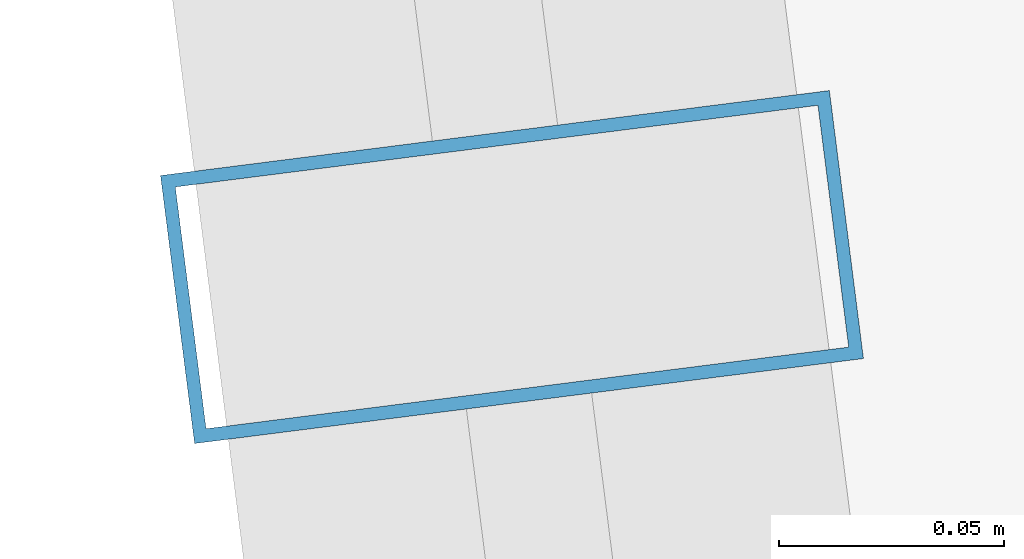
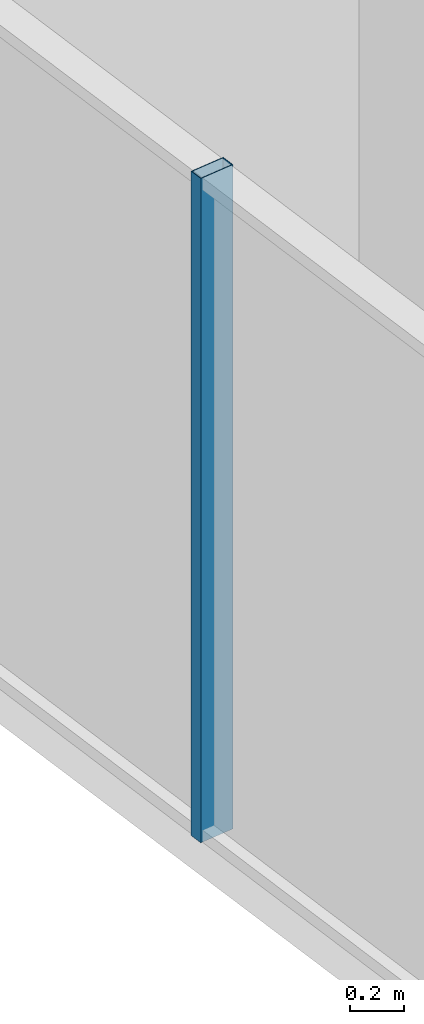
# One storey, part 10 of 32: 1 member, 1 element without a shape of its own.
"""IFC4 building model written with IfcOpenShell, lengths in metres."""

from ifc_helpers import new_model, si_unit, direction, frame, origin, origin_2d, place, context, subcontext, project, spatial, hollow_rectangle, extrude, source, transform, mapped, material, layer, layer_set, material_profile, profile_set, type_object, element, aggregate, save


model = new_model("IFC4")

# Units and contexts
model_context = context("Model", 3, precision=1e-05, world=origin(), true_north=direction((0.0, 1.0)))
body_context = subcontext(model_context, "Body", "Model", "MODEL_VIEW")
ifc_project = project(units=[si_unit("LENGTHUNIT", "METRE"), si_unit("AREAUNIT", "SQUARE_METRE"), si_unit("VOLUMEUNIT", "CUBIC_METRE"), si_unit("PLANEANGLEUNIT", "RADIAN"), si_unit("MASSUNIT", "GRAM", prefix="KILO")], contexts=[model_context])

# Site, building, storey
site_placement = place(None, origin())
site = spatial("IfcSite", under=ifc_project, at=site_placement, CompositionType="ELEMENT")
building_placement = place(site_placement, origin())
building = spatial("IfcBuilding", under=site, at=building_placement, Name="Veraguas Prism Commons", CompositionType="ELEMENT")
storey_placement = place(building_placement, frame((0.0, 0.0, 182.10009765625)))
storey = spatial("IfcBuildingStorey", under=building, at=storey_placement, Name="L51", CompositionType="ELEMENT", Elevation=182.10009765625)

# Curtain wall, member
ifc_material = material(Name="Anodised aluminium EN AW-6063 T6", Category="aluminium")
ifc_layer = layer(ifc_material, 0.14990234375, Name="Unitised Flush Curtain Wall Zone 3", Category="aluminium")
ifc_layer_set = layer_set([ifc_layer], Name="Anodised aluminium EN AW-6063 T6")
curtain_wall_type = type_object("IfcCurtainWallType", Name="Unitised Flush Curtain Wall Zone 3", PredefinedType="NOTDEFINED", material=ifc_layer_set)
curtain_wall_placement = place(storey_placement, origin())
curtain_wall = element("IfcCurtainWall", 1, at=curtain_wall_placement, inside=storey, type_object=curtain_wall_type, Name="Tower Facade Curtain Wall L51-F3", PredefinedType="NOTDEFINED")
ifc_material_profile = material_profile(ifc_material, hollow_rectangle(XDim=0.06005859375, YDim=0.14990234375, WallThickness=0.0029296875, at=origin_2d()), Name="AL60X150X3")
ifc_profile_set = profile_set([ifc_material_profile], Name="Anodised aluminium EN AW-6063 T6")
member_type = type_object("IfcMemberType", Name="Curtain Wall Mullion Upper AL 60x150x3", PredefinedType="MULLION", material=ifc_profile_set)
shared_shape = source(origin(), body_context, "Body", "SweptSolid", [
    extrude(hollow_rectangle(XDim=0.06005859375, YDim=0.14990234375, WallThickness=0.0029296875, at=origin_2d()), origin(), (0.0, 0.0, 1.0), 3.014892578125),
])
member_placement = place(storey_placement, frame((6.430908203125, 21.76806640625, 0.0), z_axis=(0.0, 0.0, 1.0), x_axis=(0.126018904031, -0.992027840248, 0.0)))
member = element("IfcMember", 2, at=member_placement, type_object=member_type, Name="CW-Z3 Mullion 3", PredefinedType="MULLION", context=body_context, shape_type="MappedRepresentation", body=[
    mapped(shared_shape, transform((0.0, 0.0, 0.0), scale=1.0)),
])
aggregate(curtain_wall, [member])

save(model, "model.ifc")
